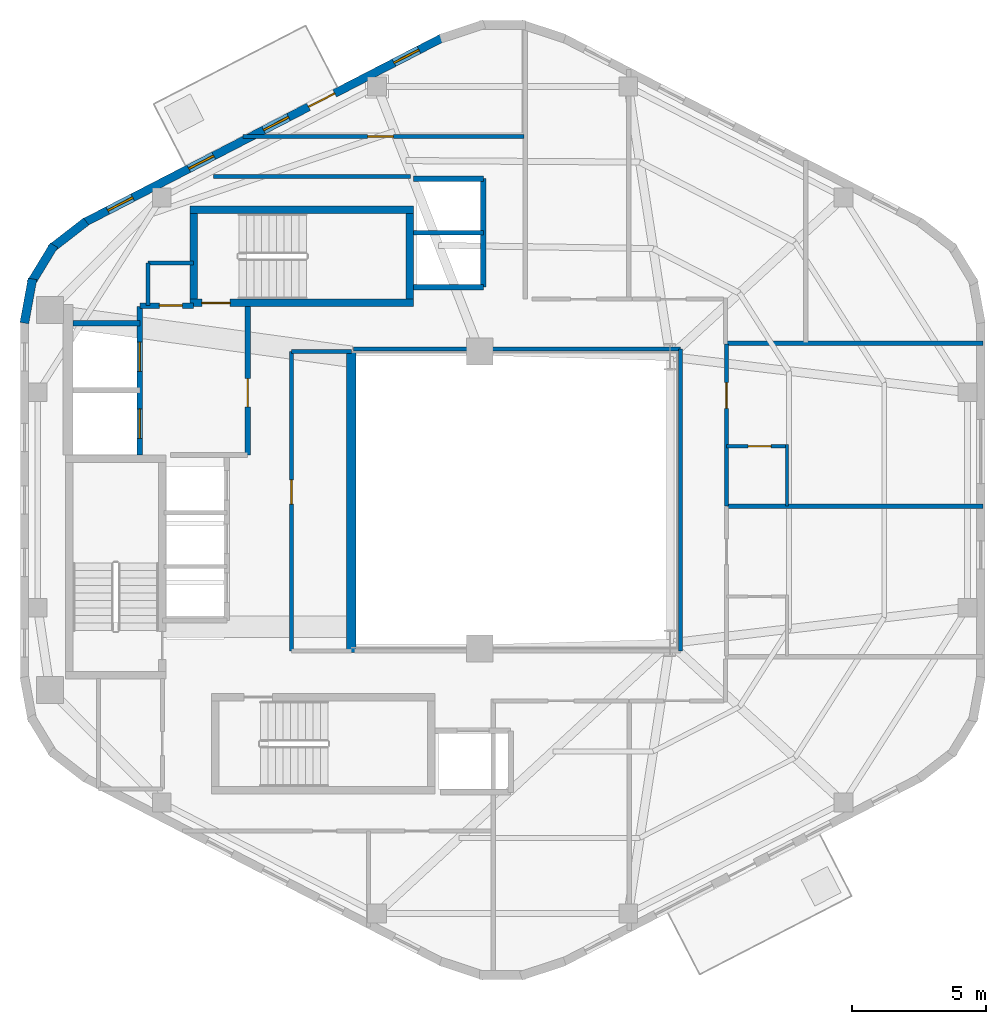
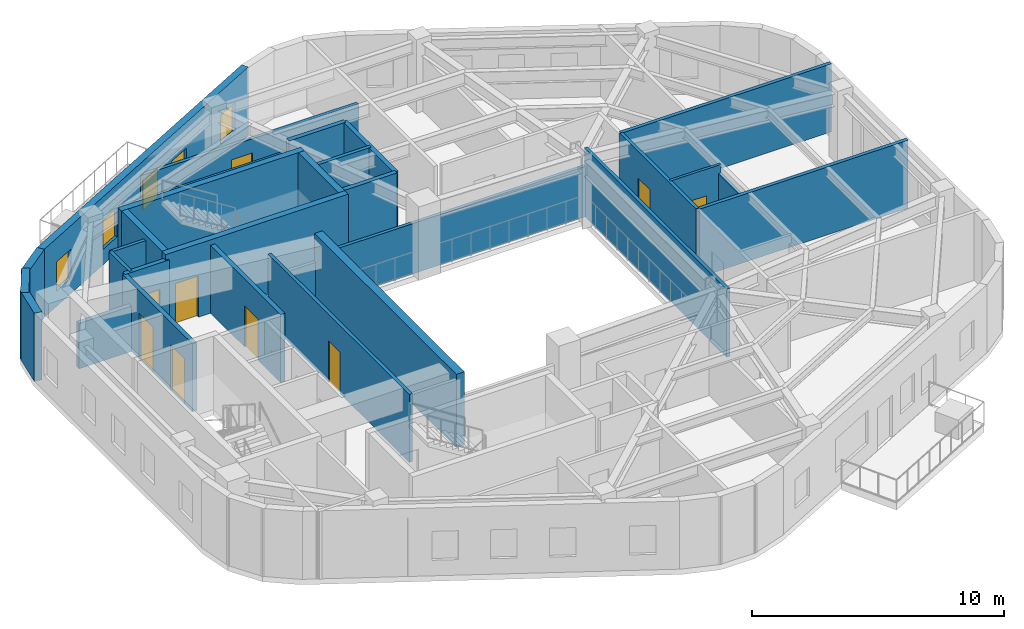
# One storey, part 4 of 7: 30 walls, 10 doors, 4 windows, 14 openings.
"""IFC4 building model written with IfcOpenShell, lengths in metres."""

from ifc_helpers import new_model, si_unit, direction, frame, frame_2d, origin, place, context, subcontext, project, spatial, rectangle, extrude, material, layer, layer_set, type_object, element, fill, save


model = new_model("IFC4")

# Units and contexts
model_context = context("Model", 3, precision=1e-05, world=origin(), true_north=direction((0.0, 1.0)))
body_context = subcontext(model_context, "Body", "Model", "MODEL_VIEW")
ifc_project = project(units=[si_unit("LENGTHUNIT", "METRE"), si_unit("AREAUNIT", "SQUARE_METRE"), si_unit("VOLUMEUNIT", "CUBIC_METRE"), si_unit("PLANEANGLEUNIT", "RADIAN"), si_unit("MASSUNIT", "GRAM", prefix="KILO"), si_unit("THERMODYNAMICTEMPERATUREUNIT", "KELVIN"), si_unit("POWERUNIT", "WATT")], contexts=[model_context])

# Site, building, storey
site_placement = place(None, origin())
site = spatial("IfcSite", under=ifc_project, at=site_placement, CompositionType="ELEMENT")
building_placement = place(site_placement, origin())
building = spatial("IfcBuilding", under=site, at=building_placement, Name="Skarre Station Tower", CompositionType="ELEMENT")
storey_placement = place(building_placement, frame((0.0, 0.0, 249.0)))
storey = spatial("IfcBuildingStorey", under=building, at=storey_placement, Name="L68", CompositionType="ELEMENT", Elevation=249.0)

# Wall, opening, door
ifc_material_1 = material(Name="Acoustic Steel-Stud Gypsum Partition", Category="steel")
ifc_layer_1 = layer(ifc_material_1, 0.14990234375, Name="Acoustic Steel-Stud Gypsum Partition")
ifc_layer_set_1 = layer_set([ifc_layer_1], Name="Acoustic Steel-Stud Gypsum Partition")
wall_type_1 = type_object("IfcWallType", Name="Fire-Rated Corridor Acoustic Partition 150", PredefinedType="PARTITIONING", material=ifc_layer_set_1)
wall_1_placement = place(storey_placement, frame((25.320068359375, 29.550048828125, 0.0), z_axis=(0.0, 0.0, 1.0), x_axis=(0.0, -1.0, 0.0)))
wall_1 = element("IfcWall", 1, at=wall_1_placement, inside=storey, type_object=wall_type_1, Name="L68 Interior Partition WL-PT-L68-RC2-W1", PredefinedType="PARTITIONING", context=body_context, shape_type="SweptSolid", body=[
    extrude(rectangle(XDim=11.18994140625, YDim=0.14990234375, at=frame_2d((5.594970703125, 0.0))), origin(), (0.0, 0.0, 1.0), 3.2900390625),
])
opening_1_placement = place(wall_1_placement, frame((4.800048828125, 0.0, 0.0)))
opening_1 = element("IfcOpeningElement", 2, at=opening_1_placement, cuts=wall_1, Name="Opening DR-SVC90", PredefinedType="OPENING", context=body_context, shape_type="SweptSolid", body=[
    extrude(rectangle(XDim=0.89990234375, YDim=2.0, at=frame_2d((0.449951171875, 1.0))), frame((0.0, 0.0849609375, 0.0), z_axis=(0.0, -1.0, 0.0), x_axis=(1.0, 0.0, 0.0)), (0.0, 0.0, 1.0), 0.169921875),
])
ifc_material_2 = material(Name="Powder-Coated Hollow-Metal Acoustic Fire Leaf", Category="steel")
door_type_1 = type_object("IfcDoorType", Name="Service & Riser Fire Door FD60 900x2100", OperationType="SINGLE_SWING_LEFT", PredefinedType="DOOR", material=ifc_material_2)
door_1_placement = place(opening_1_placement, origin())
door_1 = element("IfcDoor", 3, at=door_1_placement, inside=storey, type_object=door_type_1, Name="L68 Wine Pantry Door", OperationType="SINGLE_SWING_LEFT", OverallHeight=2.0, OverallWidth=0.89990234375, PredefinedType="DOOR", context=body_context, shape_type="SweptSolid", body=[
    extrude(rectangle(XDim=0.89990234375, YDim=2.0, at=frame_2d((0.449951171875, 1.0))), frame((0.0, 0.02490234375, 0.0), z_axis=(0.0, -1.0, 0.0), x_axis=(1.0, 0.0, 0.0)), (0.0, 0.0, 1.0), 0.050048828125),
])
fill(opening_1, door_1)

# Walls
wall_2_placement = place(storey_placement, frame((27.550048828125, 29.550048828125, 0.0), z_axis=(0.0, 0.0, 1.0), x_axis=(-1.0, 0.0, 0.0)))
element("IfcWall", 4, at=wall_2_placement, inside=storey, type_object=wall_type_1, Name="L68 Interior Partition WL-PT-L68-RC2-N", PredefinedType="PARTITIONING", context=body_context, shape_type="SweptSolid", body=[
    extrude(rectangle(XDim=2.22998046875, YDim=0.14990234375, at=frame_2d((1.114990234375, 0.0))), origin(), (0.0, 0.0, 1.0), 2.18994140625),
])
wall_3_placement = place(storey_placement, frame((19.949951171875, 32.85009765625, 0.0), z_axis=(0.0, 0.0, 1.0), x_axis=(0.0, -1.0, 0.0)))
element("IfcWall", 5, at=wall_3_placement, inside=storey, type_object=wall_type_1, Name="L68 Interior Partition WL-PT-L68-CNW-W", PredefinedType="PARTITIONING", context=body_context, shape_type="SweptSolid", body=[
    extrude(rectangle(XDim=1.590087890625, YDim=0.14990234375, at=frame_2d((0.794921875, 0.0))), origin(), (0.0, 0.0, 1.0), 3.2900390625),
])
wall_4_placement = place(storey_placement, frame((21.659912109375, 32.85009765625, 0.0), z_axis=(0.0, 0.0, 1.0), x_axis=(-1.0, 0.0, 0.0)))
element("IfcWall", 6, at=wall_4_placement, inside=storey, type_object=wall_type_1, Name="L68 Interior Partition WL-PT-L68-CNW-N1", PredefinedType="PARTITIONING", context=body_context, shape_type="SweptSolid", body=[
    extrude(rectangle(XDim=1.7099609375, YDim=0.14990234375, at=frame_2d((0.85498046875, 0.0))), origin(), (0.0, 0.0, 1.0), 3.2900390625),
])
wall_5_placement = place(storey_placement, frame((39.840087890625, 29.639892578125, 0.0), z_axis=(0.0, 0.0, 1.0), x_axis=(-1.0, 0.0, 0.0)))
element("IfcWall", 7, at=wall_5_placement, inside=storey, type_object=wall_type_1, Name="L68 Interior Partition WL-PT-L68-ATRW-N", PredefinedType="PARTITIONING", context=body_context, shape_type="SweptSolid", body=[
    extrude(rectangle(XDim=12.203125, YDim=0.14990234375, at=frame_2d((6.1015625, 0.0))), origin(), (0.0, 0.0, 1.0), 2.430908203125),
])
wall_6_placement = place(storey_placement, frame((39.840087890625, 18.360107421875, 0.0), z_axis=(0.0, 0.0, 1.0), x_axis=(0.0, 1.0, 0.0)))
element("IfcWall", 8, at=wall_6_placement, inside=storey, type_object=wall_type_1, Name="L68 Interior Partition WL-PT-L68-ATRW-E", PredefinedType="PARTITIONING", context=body_context, shape_type="SweptSolid", body=[
    extrude(rectangle(XDim=11.27978515625, YDim=0.14990234375, at=frame_2d((5.639892578125, 0.0))), origin(), (0.0, 0.0, 1.0), 3.2900390625),
])

# Wall, opening, door
wall_7_placement = place(storey_placement, frame((34.0, 37.580078125, 0.0), z_axis=(0.0, 0.0, 1.0), x_axis=(-1.0, 0.0, 0.0)))
wall_7 = element("IfcWall", 9, at=wall_7_placement, inside=storey, type_object=wall_type_1, Name="L68 Interior Partition WL-PT-L68-NWW1-CW", PredefinedType="PARTITIONING", context=body_context, shape_type="SweptSolid", body=[
    extrude(rectangle(XDim=10.5009765625, YDim=0.14990234375, at=frame_2d((5.25048828125, 0.0))), origin(), (0.0, 0.0, 1.0), 2.681884765625),
])
opening_2_placement = place(wall_7_placement, frame((4.87890625, 0.0, 0.0)))
opening_2 = element("IfcOpeningElement", 10, at=opening_2_placement, cuts=wall_7, Name="Opening DR-FD60", PredefinedType="OPENING", context=body_context, shape_type="SweptSolid", body=[
    extrude(rectangle(XDim=0.9599609375, YDim=2.0, at=frame_2d((0.47998046875, 1.0))), frame((0.0, 0.0849609375, 0.0), z_axis=(0.0, -1.0, 0.0), x_axis=(1.0, 0.0, 0.0)), (0.0, 0.0, 1.0), 0.169921875),
])
ifc_material_3 = material(Name="Nordic White-Oak Veneer Solid-Core Fire Leaf", Category="wood")
door_type_2 = type_object("IfcDoorType", Name="Corridor Suite Entry Fire Door FD60 960x2150", OperationType="SINGLE_SWING_LEFT", PredefinedType="DOOR", material=ifc_material_3)
door_2_placement = place(opening_2_placement, origin())
door_2 = element("IfcDoor", 11, at=door_2_placement, inside=storey, type_object=door_type_2, Name="L68 NWW1 Entry Door", OperationType="SINGLE_SWING_LEFT", OverallHeight=2.0, OverallWidth=0.9599609375, PredefinedType="DOOR", context=body_context, shape_type="SweptSolid", body=[
    extrude(rectangle(XDim=0.9599609375, YDim=2.0, at=frame_2d((0.47998046875, 1.0))), frame((0.0, 0.02490234375, 0.0), z_axis=(0.0, -1.0, 0.0), x_axis=(1.0, 0.0, 0.0)), (0.0, 0.0, 1.0), 0.050048828125),
])
fill(opening_2, door_2)

wall_8_placement = place(storey_placement, frame((41.56005859375, 23.784912109375, 0.0), z_axis=(0.0, 0.0, 1.0), x_axis=(0.0, 1.0, 0.0)))
wall_8 = element("IfcWall", 12, at=wall_8_placement, inside=storey, type_object=wall_type_1, Name="L68 Interior Partition WL-PT-L68-EW2-CW", PredefinedType="PARTITIONING", context=body_context, shape_type="SweptSolid", body=[
    extrude(rectangle(XDim=6.03515625, YDim=0.14990234375, at=frame_2d((3.017578125, 0.0))), origin(), (0.0, 0.0, 1.0), 3.2900390625),
])
opening_3_placement = place(wall_8_placement, frame((3.637939453125, 0.0, 0.0)))
opening_3 = element("IfcOpeningElement", 13, at=opening_3_placement, cuts=wall_8, Name="Opening DR-FD60", PredefinedType="OPENING", context=body_context, shape_type="SweptSolid", body=[
    extrude(rectangle(XDim=0.9599609375, YDim=2.0, at=frame_2d((0.47998046875, 1.0))), frame((0.0, 0.0849609375, 0.0), z_axis=(0.0, -1.0, 0.0), x_axis=(1.0, 0.0, 0.0)), (0.0, 0.0, 1.0), 0.169921875),
])
door_3_placement = place(opening_3_placement, origin())
door_3 = element("IfcDoor", 14, at=door_3_placement, inside=storey, type_object=door_type_2, Name="L68 EW2 Entry Door", OperationType="SINGLE_SWING_LEFT", OverallHeight=2.0, OverallWidth=0.9599609375, PredefinedType="DOOR", context=body_context, shape_type="SweptSolid", body=[
    extrude(rectangle(XDim=0.9599609375, YDim=2.0, at=frame_2d((0.47998046875, 1.0))), frame((0.0, 0.02490234375, 0.0), z_axis=(0.0, -1.0, 0.0), x_axis=(1.0, 0.0, 0.0)), (0.0, 0.0, 1.0), 0.050048828125),
])
fill(opening_3, door_3)

# Walls
wall_9_placement = place(storey_placement, frame((29.7529296875, 36.080078125, 0.0), z_axis=(0.0, 0.0, 1.0), x_axis=(-1.0, 0.0, 0.0)))
element("IfcWall", 15, at=wall_9_placement, inside=storey, type_object=wall_type_1, Name="L68 Interior Partition WL-PT-L68-CSEAL-1", PredefinedType="PARTITIONING", context=body_context, shape_type="SweptSolid", body=[
    extrude(rectangle(XDim=7.35302734375, YDim=0.14990234375, at=frame_2d((3.676513671875, 0.0))), origin(), (0.0, 0.0, 1.0), 2.681884765625),
])
ifc_material_4 = material(Name="Insulated Timber-Stud Gypsum Partition", Category="wood")
ifc_layer_2 = layer(ifc_material_4, 0.1201171875, Name="Insulated Timber-Stud Gypsum Partition")
ifc_layer_set_2 = layer_set([ifc_layer_2], Name="Insulated Timber-Stud Gypsum Partition")
wall_type_2 = type_object("IfcWallType", Name="Internal Suite Acoustic Partition 120", PredefinedType="PARTITIONING", material=ifc_layer_set_2)
wall_10_placement = place(storey_placement, frame((43.820068359375, 23.784912109375, 0.0), z_axis=(0.0, 0.0, 1.0), x_axis=(0.0, 1.0, 0.0)))
element("IfcWall", 16, at=wall_10_placement, inside=storey, type_object=wall_type_2, Name="L68 Interior Partition WL-PT-L68-EW2-EW2", PredefinedType="PARTITIONING", context=body_context, shape_type="SweptSolid", body=[
    extrude(rectangle(XDim=2.280029296875, YDim=0.1201171875, at=frame_2d((1.14013671875, 0.0))), origin(), (0.0, 0.0, 1.0), 2.886962890625),
])

# Wall, opening, door
wall_11_placement = place(storey_placement, frame((43.8798828125, 26.0048828125, 0.0), z_axis=(0.0, 0.0, 1.0), x_axis=(-1.0, 0.0, 0.0)))
wall_11 = element("IfcWall", 17, at=wall_11_placement, inside=storey, type_object=wall_type_2, Name="L68 Interior Partition WL-PT-L68-EW2-EW3", PredefinedType="PARTITIONING", context=body_context, shape_type="SweptSolid", body=[
    extrude(rectangle(XDim=2.31982421875, YDim=0.1201171875, at=frame_2d((1.159912109375, 0.0))), origin(), (0.0, 0.0, 1.0), 3.2900390625),
])
opening_4_placement = place(wall_11_placement, frame((0.64990234375, 0.0, 0.0)))
opening_4 = element("IfcOpeningElement", 18, at=opening_4_placement, cuts=wall_11, Name="Opening DR-INT86", PredefinedType="OPENING", context=body_context, shape_type="SweptSolid", body=[
    extrude(rectangle(XDim=0.860107421875, YDim=2.0, at=frame_2d((0.43017578125, 1.0))), frame((0.0, 0.070068359375, 0.0), z_axis=(0.0, -1.0, 0.0), x_axis=(1.0, 0.0, 0.0)), (0.0, 0.0, 1.0), 0.14013671875),
])
ifc_material_5 = material(Name="Nordic Birch Acoustic Solid-Core Timber Leaf", Category="wood")
door_type_3 = type_object("IfcDoorType", Name="Internal En-Suite & Bedroom Door 860x2100", OperationType="SINGLE_SWING_LEFT", PredefinedType="DOOR", material=ifc_material_5)
door_4_placement = place(opening_4_placement, origin())
door_4 = element("IfcDoor", 19, at=door_4_placement, inside=storey, type_object=door_type_3, Name="L68 EW2 En-suite Door", OperationType="SINGLE_SWING_RIGHT", OverallHeight=2.0, OverallWidth=0.860107421875, PredefinedType="DOOR", context=body_context, shape_type="SweptSolid", body=[
    extrude(rectangle(XDim=0.860107421875, YDim=2.0, at=frame_2d((0.43017578125, 1.0))), frame((0.0, 0.02490234375, 0.0), z_axis=(0.0, -1.0, 0.0), x_axis=(1.0, 0.0, 0.0)), (0.0, 0.0, 1.0), 0.050048828125),
])
fill(opening_4, door_4)

# Walls
ifc_material_6 = material(Name="Precast concrete C45/55", Category="concrete")
ifc_layer_3 = layer(ifc_material_6, 0.330078125, Name="Precast concrete C45/55")
ifc_layer_set_3 = layer_set([ifc_layer_3], Name="Precast concrete C45/55")
wall_type_3 = type_object("IfcWallType", Name="Nordic Rounded Corner Precast Wall 330", PredefinedType="STANDARD", material=ifc_layer_set_3)
wall_12_placement = place(storey_placement, frame((15.337890625, 30.60791015625, 0.0), z_axis=(0.0, 0.0, 1.0), x_axis=(0.180832605401, 0.983513888475, 0.0)))
element("IfcWall", 20, at=wall_12_placement, inside=storey, type_object=wall_type_3, Name="L68 Rounded Corner Precast Wall F2-1", PredefinedType="STANDARD", context=body_context, shape_type="SweptSolid", body=[
    extrude(rectangle(XDim=1.6767578125, YDim=0.330078125, at=frame_2d((0.83837890625, 0.0))), origin(), (0.0, 0.0, 1.0), 3.2900390625),
])
wall_13_placement = place(storey_placement, frame((15.573974609375, 32.08203125, 0.0), z_axis=(0.0, 0.0, 1.0), x_axis=(0.520325409202, 0.853968072318, 0.0)))
element("IfcWall", 21, at=wall_13_placement, inside=storey, type_object=wall_type_3, Name="L68 Rounded Corner Precast Wall F2-2", PredefinedType="STANDARD", context=body_context, shape_type="SweptSolid", body=[
    extrude(rectangle(XDim=1.677978515625, YDim=0.330078125, at=frame_2d((0.8388671875, 0.0))), origin(), (0.0, 0.0, 1.0), 3.2900390625),
])
wall_14_placement = place(storey_placement, frame((16.322021484375, 33.375, 0.0), z_axis=(0.0, 0.0, 1.0), x_axis=(0.790691856293, 0.61221433207, 0.0)))
element("IfcWall", 22, at=wall_14_placement, inside=storey, type_object=wall_type_3, Name="L68 Rounded Corner Precast Wall F2-3", PredefinedType="STANDARD", context=body_context, shape_type="SweptSolid", body=[
    extrude(rectangle(XDim=1.67578125, YDim=0.330078125, at=frame_2d((0.837890625, 0.0))), origin(), (0.0, 0.0, 1.0), 3.2900390625),
])

# Wall, openings, windows, door
ifc_layer_4 = layer(ifc_material_6, 0.31005859375, Name="Precast concrete C45/55")
ifc_layer_set_4 = layer_set([ifc_layer_4], Name="Precast concrete C45/55")
wall_type_4 = type_object("IfcWallType", Name="Nordic Upper-Zone Precast Facet Wall 310", PredefinedType="STANDARD", material=ifc_layer_set_4)
wall_15_placement = place(storey_placement, frame((17.56591796875, 34.35400390625, 0.0), z_axis=(0.0, 0.0, 1.0), x_axis=(0.888581481622, 0.458718814218, 0.0)))
wall_15 = element("IfcWall", 23, at=wall_15_placement, inside=storey, type_object=wall_type_4, Name="L68 Facet 1 Nordic Precast Masonry Wall", PredefinedType="STANDARD", context=body_context, shape_type="SweptSolid", body=[
    extrude(rectangle(XDim=15.076904296875, YDim=0.31005859375, at=frame_2d((7.53857421875, 0.0))), origin(), (0.0, 0.0, 1.0), 3.2900390625),
])
opening_5_placement = place(wall_15_placement, frame((9.43798828125, 0.0, 0.0)))
opening_5 = element("IfcOpeningElement", 24, at=opening_5_placement, cuts=wall_15, Name="Opening DR-BAL110", PredefinedType="OPENING", context=body_context, shape_type="SweptSolid", body=[
    extrude(rectangle(XDim=1.10009765625, YDim=2.0400390625, at=frame_2d((0.550048828125, 1.02001953125))), frame((0.0, 0.1650390625, 0.0), z_axis=(0.0, -1.0, 0.0), x_axis=(1.0, 0.0, 0.0)), (0.0, 0.0, 1.0), 0.330078125),
])
opening_6_placement = place(wall_15_placement, frame((0.998046875, 0.0, 0.75)))
opening_6 = element("IfcOpeningElement", 25, at=opening_6_placement, cuts=wall_15, Name="Opening WN-SLT", PredefinedType="OPENING", context=body_context, shape_type="SweptSolid", body=[
    extrude(rectangle(XDim=1.050048828125, YDim=1.39990234375, at=frame_2d((0.52490234375, 0.699951171875))), frame((0.0, 0.1650390625, 0.0), z_axis=(0.0, -1.0, 0.0), x_axis=(1.0, 0.0, 0.0)), (0.0, 0.0, 1.0), 0.330078125),
])
opening_7_placement = place(wall_15_placement, frame((4.403076171875, 0.0, 0.75)))
opening_7 = element("IfcOpeningElement", 26, at=opening_7_placement, cuts=wall_15, Name="Opening WN-SLT", PredefinedType="OPENING", context=body_context, shape_type="SweptSolid", body=[
    extrude(rectangle(XDim=1.050048828125, YDim=1.39990234375, at=frame_2d((0.52490234375, 0.699951171875))), frame((0.0, 0.1650390625, 0.0), z_axis=(0.0, -1.0, 0.0), x_axis=(1.0, 0.0, 0.0)), (0.0, 0.0, 1.0), 0.330078125),
])
opening_8_placement = place(wall_15_placement, frame((7.549072265625, 0.0, 0.75)))
opening_8 = element("IfcOpeningElement", 27, at=opening_8_placement, cuts=wall_15, Name="Opening WN-SLT", PredefinedType="OPENING", context=body_context, shape_type="SweptSolid", body=[
    extrude(rectangle(XDim=1.050048828125, YDim=1.39990234375, at=frame_2d((0.52490234375, 0.699951171875))), frame((0.0, 0.1650390625, 0.0), z_axis=(0.0, -1.0, 0.0), x_axis=(1.0, 0.0, 0.0)), (0.0, 0.0, 1.0), 0.330078125),
])
opening_9_placement = place(wall_15_placement, frame((13.029052734375, 0.0, 0.75)))
opening_9 = element("IfcOpeningElement", 28, at=opening_9_placement, cuts=wall_15, Name="Opening WN-SLT", PredefinedType="OPENING", context=body_context, shape_type="SweptSolid", body=[
    extrude(rectangle(XDim=1.050048828125, YDim=1.39990234375, at=frame_2d((0.52490234375, 0.699951171875))), frame((0.0, 0.1650390625, 0.0), z_axis=(0.0, -1.0, 0.0), x_axis=(1.0, 0.0, 0.0)), (0.0, 0.0, 1.0), 0.330078125),
])
ifc_material_7 = material(Name="Low-Iron Triple Glazing with Bronze Anodized Frame", Category="glass")
window_type = type_object("IfcWindowType", Name="Nordic Corner Slot Window 1050x1400", PartitioningType="SINGLE_PANEL", PredefinedType="WINDOW", material=ifc_material_7)
window_1_placement = place(opening_6_placement, origin())
window_1 = element("IfcWindow", 29, at=window_1_placement, inside=storey, type_object=window_type, Name="L68 Facade Window WL-FAC-L68-F1-1", OverallHeight=1.39990234375, OverallWidth=1.050048828125, PartitioningType="SINGLE_PANEL", PredefinedType="WINDOW", context=body_context, shape_type="SweptSolid", body=[
    extrude(rectangle(XDim=1.050048828125, YDim=1.39990234375, at=frame_2d((0.52490234375, 0.699951171875))), frame((0.0, 0.030029296875, 0.0), z_axis=(0.0, -1.0, 0.0), x_axis=(1.0, 0.0, 0.0)), (0.0, 0.0, 1.0), 0.06005859375),
])
fill(opening_6, window_1)
window_2_placement = place(opening_7_placement, origin())
window_2 = element("IfcWindow", 30, at=window_2_placement, inside=storey, type_object=window_type, Name="L68 Facade Window WL-FAC-L68-F1-2", OverallHeight=1.39990234375, OverallWidth=1.050048828125, PartitioningType="SINGLE_PANEL", PredefinedType="WINDOW", context=body_context, shape_type="SweptSolid", body=[
    extrude(rectangle(XDim=1.050048828125, YDim=1.39990234375, at=frame_2d((0.52490234375, 0.699951171875))), frame((0.0, 0.030029296875, 0.0), z_axis=(0.0, -1.0, 0.0), x_axis=(1.0, 0.0, 0.0)), (0.0, 0.0, 1.0), 0.06005859375),
])
fill(opening_7, window_2)
window_3_placement = place(opening_8_placement, origin())
window_3 = element("IfcWindow", 31, at=window_3_placement, inside=storey, type_object=window_type, Name="L68 Facade Window WL-FAC-L68-F1-3", OverallHeight=1.39990234375, OverallWidth=1.050048828125, PartitioningType="SINGLE_PANEL", PredefinedType="WINDOW", context=body_context, shape_type="SweptSolid", body=[
    extrude(rectangle(XDim=1.050048828125, YDim=1.39990234375, at=frame_2d((0.52490234375, 0.699951171875))), frame((0.0, 0.030029296875, 0.0), z_axis=(0.0, -1.0, 0.0), x_axis=(1.0, 0.0, 0.0)), (0.0, 0.0, 1.0), 0.06005859375),
])
fill(opening_8, window_3)
window_4_placement = place(opening_9_placement, origin())
window_4 = element("IfcWindow", 32, at=window_4_placement, inside=storey, type_object=window_type, Name="L68 Facade Window WL-FAC-L68-F1-4", OverallHeight=1.39990234375, OverallWidth=1.050048828125, PartitioningType="SINGLE_PANEL", PredefinedType="WINDOW", context=body_context, shape_type="SweptSolid", body=[
    extrude(rectangle(XDim=1.050048828125, YDim=1.39990234375, at=frame_2d((0.52490234375, 0.699951171875))), frame((0.0, 0.030029296875, 0.0), z_axis=(0.0, -1.0, 0.0), x_axis=(1.0, 0.0, 0.0)), (0.0, 0.0, 1.0), 0.06005859375),
])
fill(opening_9, window_4)
ifc_material_8 = material(Name="Thermally Broken Aluminium & Triple Glazing", Category="aluminium")
door_type_4 = type_object("IfcDoorType", Name="Terrace & Tree-Balcony Glazed Door 1100x2200", OperationType="SINGLE_SWING_LEFT", PredefinedType="DOOR", material=ifc_material_8)
door_5_placement = place(opening_5_placement, origin())
door_5 = element("IfcDoor", 33, at=door_5_placement, inside=storey, type_object=door_type_4, Name="L68 TB-L68-F1 Tree-Balcony Glazed Door", OperationType="SINGLE_SWING_LEFT", OverallHeight=2.0400390625, OverallWidth=1.10009765625, PredefinedType="DOOR", context=body_context, shape_type="SweptSolid", body=[
    extrude(rectangle(XDim=1.10009765625, YDim=2.0400390625, at=frame_2d((0.550048828125, 1.02001953125))), frame((0.0, 0.02490234375, 0.0), z_axis=(0.0, -1.0, 0.0), x_axis=(1.0, 0.0, 0.0)), (0.0, 0.0, 1.0), 0.050048828125),
])
fill(opening_5, door_5)

# Wall, opening, door
ifc_material_9 = material(Name="Concrete C50/60", Category="concrete")
ifc_layer_5 = layer(ifc_material_9, 0.280029296875, Name="Concrete C50/60")
ifc_layer_set_5 = layer_set([ifc_layer_5], Name="Concrete C50/60")
wall_type_5 = type_object("IfcWallType", Name="RC Core Shear Wall 280", PredefinedType="SHEAR", material=ifc_layer_set_5)
wall_16_placement = place(storey_placement, frame((21.52001953125, 31.360107421875, 0.0), z_axis=(0.0, 0.0, 1.0), x_axis=(1.0, 0.0, 0.0)))
wall_16 = element("IfcWall", 34, at=wall_16_placement, inside=storey, type_object=wall_type_5, Name="L68 Stair ST-3 South Shear Wall", PredefinedType="SHEAR", context=body_context, shape_type="SweptSolid", body=[
    extrude(rectangle(XDim=8.35986328125, YDim=0.280029296875, at=frame_2d((4.179931640625, 0.0))), origin(), (0.0, 0.0, 1.0), 3.550048828125),
])
opening_10_placement = place(wall_16_placement, frame((0.449951171875, 0.0, 0.0)))
opening_10 = element("IfcOpeningElement", 35, at=opening_10_placement, cuts=wall_16, Name="Opening DR-FD90", PredefinedType="OPENING", context=body_context, shape_type="SweptSolid", body=[
    extrude(rectangle(XDim=1.050048828125, YDim=2.0, at=frame_2d((0.52490234375, 1.0))), frame((0.0, 0.14990234375, 0.0), z_axis=(0.0, -1.0, 0.0), x_axis=(1.0, 0.0, 0.0)), (0.0, 0.0, 1.0), 0.300048828125),
])
ifc_material_10 = material(Name="Fire-Rated Insulated Steel Frame & Timber Core Leaf", Category="steel")
door_type_5 = type_object("IfcDoorType", Name="Stair & FSAE Lobby Fire Door FD90 1050x2150", OperationType="SINGLE_SWING_RIGHT", PredefinedType="DOOR", material=ifc_material_10)
door_6_placement = place(opening_10_placement, origin())
door_6 = element("IfcDoor", 36, at=door_6_placement, inside=storey, type_object=door_type_5, Name="L68 Stair ST-3 & FSAE Lobby Direct Exit Door", OperationType="SINGLE_SWING_LEFT", OverallHeight=2.0, OverallWidth=1.050048828125, PredefinedType="DOOR", context=body_context, shape_type="SweptSolid", body=[
    extrude(rectangle(XDim=1.050048828125, YDim=2.0, at=frame_2d((0.52490234375, 1.0))), frame((0.0, 0.02490234375, 0.0), z_axis=(0.0, -1.0, 0.0), x_axis=(1.0, 0.0, 0.0)), (0.0, 0.0, 1.0), 0.050048828125),
])
fill(opening_10, door_6)

# Walls
wall_17_placement = place(storey_placement, frame((29.8798828125, 34.840087890625, 0.0), z_axis=(0.0, 0.0, 1.0), x_axis=(-1.0, 0.0, 0.0)))
element("IfcWall", 37, at=wall_17_placement, inside=storey, type_object=wall_type_5, Name="L68 Stair ST-3 North Shear Wall", PredefinedType="SHEAR", context=body_context, shape_type="SweptSolid", body=[
    extrude(rectangle(XDim=8.35986328125, YDim=0.280029296875, at=frame_2d((4.179931640625, 0.0))), origin(), (0.0, 0.0, 1.0), 3.550048828125),
])
for number, where, z_axis, x_axis, name in (
    (38, (21.659912109375, 34.699951171875, 0.0), (0.0, 0.0, 1.0), (0.0, -1.0, 0.0), "L68 Stair ST-3 West Shear Wall"),
    (39, (29.739990234375, 31.5, 0.0), (0.0, 0.0, 1.0), (0.0, 1.0, 0.0), "L68 Stair ST-3 East Shear Wall"),
):
    element("IfcWall", number, at=place(storey_placement, frame(where, z_axis=z_axis, x_axis=x_axis)), inside=storey, type_object=wall_type_5, Name=name, PredefinedType="SHEAR", context=body_context, shape_type="SweptSolid", body=[
        extrude(rectangle(XDim=3.199951171875, YDim=0.280029296875, at=frame_2d((1.60009765625, 0.0))), origin(), (0.0, 0.0, 1.0), 3.550048828125),
    ])
ifc_layer_6 = layer(ifc_material_9, 0.360107421875, Name="Concrete C50/60")
ifc_layer_set_6 = layer_set([ifc_layer_6], Name="Concrete C50/60")
wall_type_6 = type_object("IfcWallType", Name="RC Core Shear Wall 360", PredefinedType="SHEAR", material=ifc_layer_set_6)
wall_18_placement = place(storey_placement, frame((27.550048828125, 29.550048828125, 0.0), z_axis=(0.0, 0.0, 1.0), x_axis=(0.0, -1.0, 0.0)))
element("IfcWall", 40, at=wall_18_placement, inside=storey, type_object=wall_type_6, Name="L68 Core East Atrium Shear Wall", PredefinedType="SHEAR", context=body_context, shape_type="SweptSolid", body=[
    extrude(rectangle(XDim=11.25, YDim=0.360107421875, at=frame_2d((5.625, 0.0))), origin(), (0.0, 0.0, 1.0), 3.550048828125),
])

# Wall, openings, doors
ifc_material_11 = material(Name="Gypsum Concrete Shaft Assembly C30/37", Category="concrete")
ifc_layer_7 = layer(ifc_material_11, 0.199951171875, Name="Gypsum Concrete Shaft Assembly C30/37")
ifc_layer_set_7 = layer_set([ifc_layer_7], Name="Gypsum Concrete Shaft Assembly C30/37")
wall_type_7 = type_object("IfcWallType", Name="Shaft & Core Fire Partition 200", PredefinedType="PARTITIONING", material=ifc_layer_set_7)
wall_19_placement = place(storey_placement, frame((19.64990234375, 25.679931640625, 0.0), z_axis=(0.0, 0.0, 1.0), x_axis=(0.0, 1.0, 0.0)))
wall_19 = element("IfcWall", 41, at=wall_19_placement, inside=storey, type_object=wall_type_7, Name="L68 Interior Partition WL-PT-L68-FSAE-W", PredefinedType="PARTITIONING", context=body_context, shape_type="SweptSolid", body=[
    extrude(rectangle(XDim=5.5400390625, YDim=0.199951171875, at=frame_2d((2.77001953125, 0.0))), origin(), (0.0, 0.0, 1.0), 3.2900390625),
])
opening_11_placement = place(wall_19_placement, frame((0.6201171875, 0.0, 0.0)))
opening_11 = element("IfcOpeningElement", 42, at=opening_11_placement, cuts=wall_19, Name="Opening LD-FF1", PredefinedType="OPENING", context=body_context, shape_type="SweptSolid", body=[
    extrude(rectangle(XDim=1.10009765625, YDim=2.199951171875, at=frame_2d((0.550048828125, 1.10009765625))), frame((0.0, 0.10986328125, 0.0), z_axis=(0.0, -1.0, 0.0), x_axis=(1.0, 0.0, 0.0)), (0.0, 0.0, 1.0), 0.219970703125),
])
opening_12_placement = place(wall_19_placement, frame((3.1201171875, 0.0, 0.0)))
opening_12 = element("IfcOpeningElement", 43, at=opening_12_placement, cuts=wall_19, Name="Opening LD-FF2", PredefinedType="OPENING", context=body_context, shape_type="SweptSolid", body=[
    extrude(rectangle(XDim=1.10009765625, YDim=2.199951171875, at=frame_2d((0.550048828125, 1.10009765625))), frame((0.0, 0.10986328125, 0.0), z_axis=(0.0, -1.0, 0.0), x_axis=(1.0, 0.0, 0.0)), (0.0, 0.0, 1.0), 0.219970703125),
])
ifc_material_12 = material(Name="Fire-Rated Stainless Steel Grade 316L Sliding Leaves", Category="steel")
door_type_6 = type_object("IfcDoorType", Name="Fire Service Access Elevator Sliding Landing Door 1100x2200", OperationType="SLIDING_TO_LEFT", PredefinedType="DOOR", material=ifc_material_12)
door_7_placement = place(opening_11_placement, origin())
door_7 = element("IfcDoor", 44, at=door_7_placement, inside=storey, type_object=door_type_6, Name="L68 Firefighting Lift LF-FF1 Landing Door", OperationType="SLIDING_TO_LEFT", OverallHeight=2.199951171875, OverallWidth=1.10009765625, PredefinedType="DOOR", context=body_context, shape_type="SweptSolid", body=[
    extrude(rectangle(XDim=1.10009765625, YDim=2.199951171875, at=frame_2d((0.550048828125, 1.10009765625))), frame((0.0, 0.02490234375, 0.0), z_axis=(0.0, -1.0, 0.0), x_axis=(1.0, 0.0, 0.0)), (0.0, 0.0, 1.0), 0.050048828125),
])
fill(opening_11, door_7)
door_8_placement = place(opening_12_placement, origin())
door_8 = element("IfcDoor", 45, at=door_8_placement, inside=storey, type_object=door_type_6, Name="L68 Firefighting Lift LF-FF2 Landing Door", OperationType="SLIDING_TO_LEFT", OverallHeight=2.199951171875, OverallWidth=1.10009765625, PredefinedType="DOOR", context=body_context, shape_type="SweptSolid", body=[
    extrude(rectangle(XDim=1.10009765625, YDim=2.199951171875, at=frame_2d((0.550048828125, 1.10009765625))), frame((0.0, 0.02490234375, 0.0), z_axis=(0.0, -1.0, 0.0), x_axis=(1.0, 0.0, 0.0)), (0.0, 0.0, 1.0), 0.050048828125),
])
fill(opening_12, door_8)

# Wall, opening, door
wall_20_placement = place(storey_placement, frame((23.679931640625, 25.679931640625, 0.0), z_axis=(0.0, 0.0, 1.0), x_axis=(0.0, 1.0, 0.0)))
wall_20 = element("IfcWall", 46, at=wall_20_placement, inside=storey, type_object=wall_type_7, Name="L68 Interior Partition WL-PT-L68-FSAE-E", PredefinedType="PARTITIONING", context=body_context, shape_type="SweptSolid", body=[
    extrude(rectangle(XDim=5.5400390625, YDim=0.199951171875, at=frame_2d((2.77001953125, 0.0))), origin(), (0.0, 0.0, 1.0), 3.2900390625),
])
opening_13_placement = place(wall_20_placement, frame((1.800048828125, 0.0, 0.0)))
opening_13 = element("IfcOpeningElement", 47, at=opening_13_placement, cuts=wall_20, Name="Opening DR-FD90", PredefinedType="OPENING", context=body_context, shape_type="SweptSolid", body=[
    extrude(rectangle(XDim=1.050048828125, YDim=2.0, at=frame_2d((0.52490234375, 1.0))), frame((0.0, 0.10986328125, 0.0), z_axis=(0.0, -1.0, 0.0), x_axis=(1.0, 0.0, 0.0)), (0.0, 0.0, 1.0), 0.219970703125),
])
door_9_placement = place(opening_13_placement, origin())
door_9 = element("IfcDoor", 48, at=door_9_placement, inside=storey, type_object=door_type_5, Name="L68 FSAE Lobby Fire Door", OperationType="SINGLE_SWING_RIGHT", OverallHeight=2.0, OverallWidth=1.050048828125, PredefinedType="DOOR", context=body_context, shape_type="SweptSolid", body=[
    extrude(rectangle(XDim=1.050048828125, YDim=2.0, at=frame_2d((0.52490234375, 1.0))), frame((0.0, 0.02490234375, 0.0), z_axis=(0.0, -1.0, 0.0), x_axis=(1.0, 0.0, 0.0)), (0.0, 0.0, 1.0), 0.050048828125),
])
fill(opening_13, door_9)

wall_21_placement = place(storey_placement, frame((21.659912109375, 31.260009765625, 0.0), z_axis=(0.0, 0.0, 1.0), x_axis=(-1.0, 0.0, 0.0)))
wall_21 = element("IfcWall", 49, at=wall_21_placement, inside=storey, type_object=wall_type_7, Name="L68 Interior Partition WL-PT-L68-FSAE-N", PredefinedType="PARTITIONING", context=body_context, shape_type="SweptSolid", body=[
    extrude(rectangle(XDim=2.010009765625, YDim=0.199951171875, at=frame_2d((1.0048828125, 0.0))), origin(), (0.0, 0.0, 1.0), 3.2900390625),
])
opening_14_placement = place(wall_21_placement, frame((0.419921875, 0.0, 0.0)))
opening_14 = element("IfcOpeningElement", 50, at=opening_14_placement, cuts=wall_21, Name="Opening DR-SVC86", PredefinedType="OPENING", context=body_context, shape_type="SweptSolid", body=[
    extrude(rectangle(XDim=0.860107421875, YDim=2.0, at=frame_2d((0.43017578125, 1.0))), frame((0.0, 0.10986328125, 0.0), z_axis=(0.0, -1.0, 0.0), x_axis=(1.0, 0.0, 0.0)), (0.0, 0.0, 1.0), 0.219970703125),
])
door_type_7 = type_object("IfcDoorType", Name="Compact Riser Fire Door FD60 860x2100", OperationType="SINGLE_SWING_LEFT", PredefinedType="DOOR", material=ifc_material_2)
door_10_placement = place(opening_14_placement, origin())
door_10 = element("IfcDoor", 51, at=door_10_placement, inside=storey, type_object=door_type_7, Name="L68 Core Service Room Lobby Door", OperationType="SINGLE_SWING_LEFT", OverallHeight=2.0, OverallWidth=0.860107421875, PredefinedType="DOOR", context=body_context, shape_type="SweptSolid", body=[
    extrude(rectangle(XDim=0.860107421875, YDim=2.0, at=frame_2d((0.43017578125, 1.0))), frame((0.0, 0.02490234375, 0.0), z_axis=(0.0, -1.0, 0.0), x_axis=(1.0, 0.0, 0.0)), (0.0, 0.0, 1.0), 0.050048828125),
])
fill(opening_14, door_10)

# Walls
wall_22_placement = place(storey_placement, frame((19.64990234375, 30.60009765625, 0.0), z_axis=(0.0, 0.0, 1.0), x_axis=(-1.0, 0.0, 0.0)))
element("IfcWall", 52, at=wall_22_placement, inside=storey, type_object=wall_type_7, Name="L68 Interior Partition WL-PT-L68-FF-N", PredefinedType="PARTITIONING", context=body_context, shape_type="SweptSolid", body=[
    extrude(rectangle(XDim=2.5, YDim=0.199951171875, at=frame_2d((1.25, 0.0))), origin(), (0.0, 0.0, 1.0), 2.18994140625),
])
wall_23_placement = place(storey_placement, frame((32.47998046875, 31.949951171875, 0.0), z_axis=(0.0, 0.0, 1.0), x_axis=(0.0, 1.0, 0.0)))
element("IfcWall", 53, at=wall_23_placement, inside=storey, type_object=wall_type_7, Name="L68 Interior Partition WL-PT-L68-EX-E", PredefinedType="PARTITIONING", context=body_context, shape_type="SweptSolid", body=[
    extrude(rectangle(XDim=4.050048828125, YDim=0.199951171875, at=frame_2d((2.02490234375, 0.0))), origin(), (0.0, 0.0, 1.0), 3.2900390625),
])
for number, where, z_axis, x_axis, name in (
    (54, (29.8798828125, 36.0, 0.0), (0.0, 0.0, 1.0), (1.0, 0.0, 0.0), "L68 Interior Partition WL-PT-L68-EX-N"),
    (55, (32.47998046875, 31.949951171875, 0.0), (0.0, 0.0, 1.0), (-1.0, 0.0, 0.0), "L68 Interior Partition WL-PT-L68-EX-S"),
):
    element("IfcWall", number, at=place(storey_placement, frame(where, z_axis=z_axis, x_axis=x_axis)), inside=storey, type_object=wall_type_7, Name=name, PredefinedType="PARTITIONING", context=body_context, shape_type="SweptSolid", body=[
        extrude(rectangle(XDim=2.60009765625, YDim=0.199951171875, at=frame_2d((1.300048828125, 0.0))), origin(), (0.0, 0.0, 1.0), 3.2900390625),
    ])
wall_24_placement = place(storey_placement, frame((29.875, 33.97998046875, 0.0), z_axis=(0.0, 0.0, 1.0), x_axis=(1.0, 0.0, 0.0)))
element("IfcWall", 56, at=wall_24_placement, inside=storey, type_object=wall_type_7, Name="L68 Interior Partition WL-PT-L68-EX-DIV", PredefinedType="PARTITIONING", context=body_context, shape_type="SweptSolid", body=[
    extrude(rectangle(XDim=2.60498046875, YDim=0.159912109375, at=frame_2d((1.302490234375, 0.0))), origin(), (0.0, 0.0, 1.0), 3.2900390625),
])
ifc_layer_8 = layer(ifc_material_1, 0.1650390625, Name="Acoustic Steel-Stud Gypsum Partition")
ifc_layer_set_8 = layer_set([ifc_layer_8], Name="Acoustic Steel-Stud Gypsum Partition")
wall_type_8 = type_object("IfcWallType", Name="Suite Demising Acoustic Partition 165", PredefinedType="PARTITIONING", material=ifc_layer_set_8)
wall_25_placement = place(storey_placement, frame((41.52001953125, 29.860107421875, 0.0), z_axis=(0.0, 0.0, 1.0), x_axis=(1.0, 0.0, 0.0)))
element("IfcWall", 57, at=wall_25_placement, inside=storey, type_object=wall_type_8, Name="L68 Interior Partition WL-PT-L68-EWB-N", PredefinedType="PARTITIONING", context=body_context, shape_type="SweptSolid", body=[
    extrude(rectangle(XDim=9.623046875, YDim=0.1650390625, at=frame_2d((4.8115234375, 0.0))), origin(), (0.0, 0.0, 1.0), 3.2900390625),
])
wall_26_placement = place(storey_placement, frame((41.590087890625, 23.76708984375, 0.0), z_axis=(0.0, 0.0, 1.0), x_axis=(1.0, 0.0, 0.0)))
element("IfcWall", 58, at=wall_26_placement, inside=storey, type_object=wall_type_8, Name="L68 Interior Partition WL-PT-L68-EW-P1", PredefinedType="PARTITIONING", context=body_context, shape_type="SweptSolid", body=[
    extrude(rectangle(XDim=9.552978515625, YDim=0.1650390625, at=frame_2d((4.7763671875, 0.0))), origin(), (0.0, 0.0, 1.0), 3.2900390625),
])

save(model, "model.ifc")
